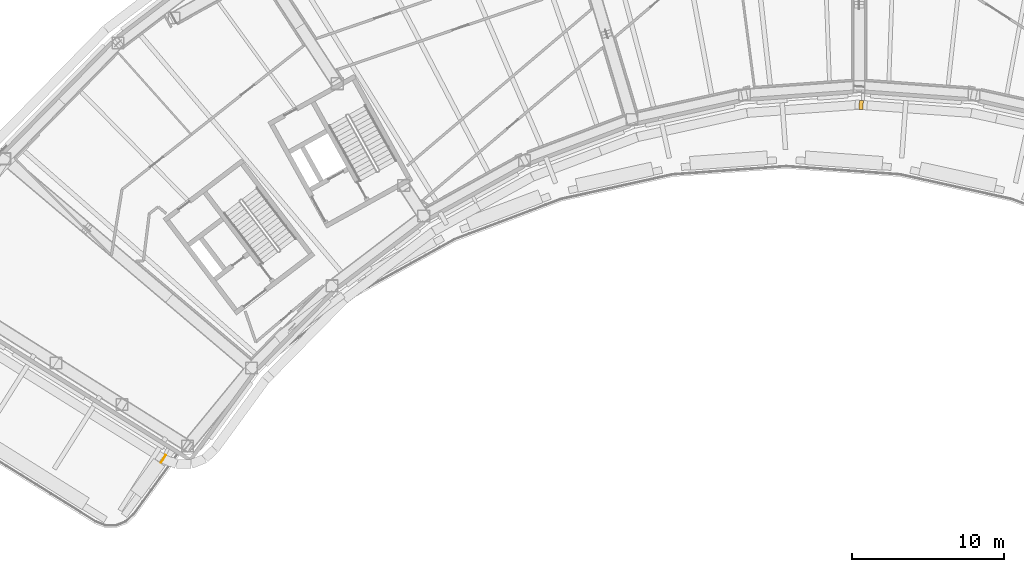
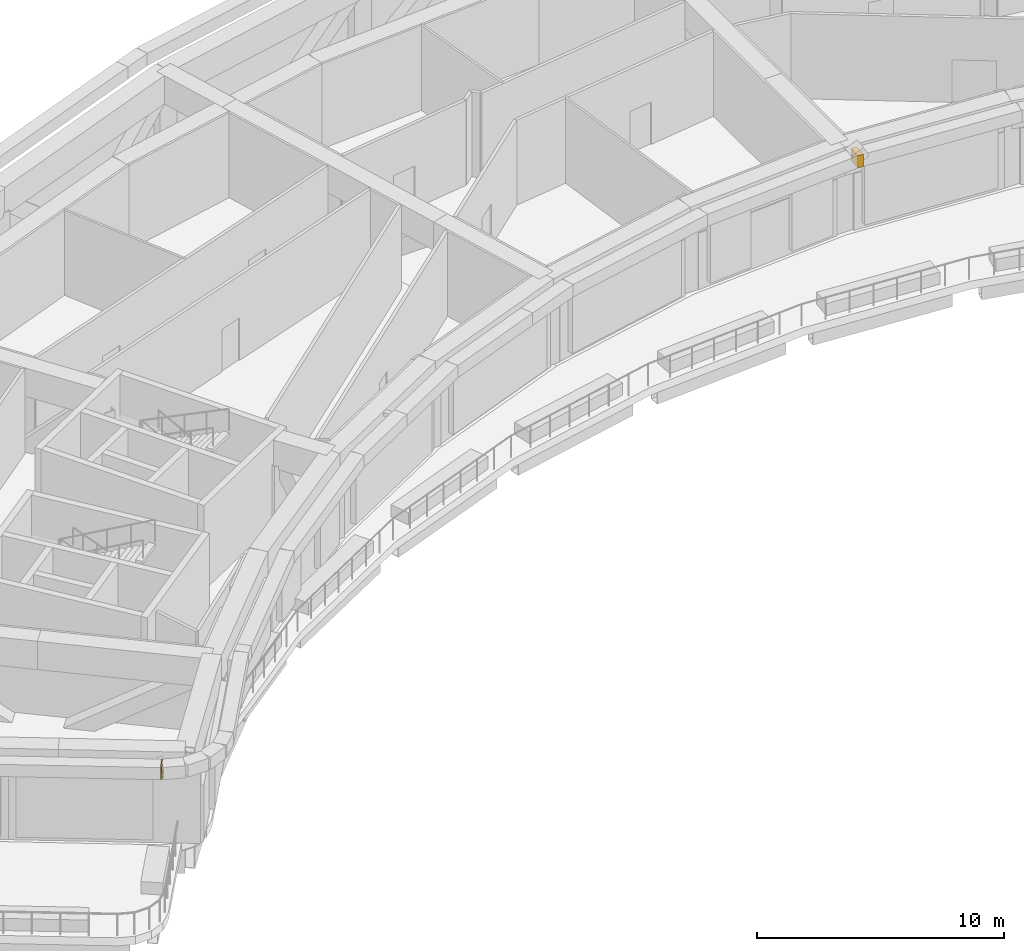
# One storey, part 24 of 25: 2 coverings.
"""IFC4 building model written with IfcOpenShell, lengths in metres."""

from ifc_helpers import new_model, si_unit, direction, frame, origin, origin_2d, place, context, subcontext, project, spatial, rectangle, extrude, material, material_profile, profile_set, type_object, element, save


model = new_model("IFC4")

# Units and contexts
model_context = context("Model", 3, precision=1e-05, world=origin(), true_north=direction((0.0, 1.0)))
body_context = subcontext(model_context, "Body", "Model", "MODEL_VIEW")
ifc_project = project(units=[si_unit("LENGTHUNIT", "METRE"), si_unit("AREAUNIT", "SQUARE_METRE"), si_unit("VOLUMEUNIT", "CUBIC_METRE"), si_unit("PLANEANGLEUNIT", "RADIAN"), si_unit("MASSUNIT", "GRAM", prefix="KILO")], contexts=[model_context])

# Site, building, storey
site_placement = place(None, origin())
site = spatial("IfcSite", under=ifc_project, at=site_placement, CompositionType="ELEMENT")
building_placement = place(site_placement, origin())
building = spatial("IfcBuilding", under=site, at=building_placement, Name="Tuul Gate Civic Tower", CompositionType="ELEMENT")
storey_placement = place(building_placement, frame((0.0, 0.0, 60.89990234375)))
storey = spatial("IfcBuildingStorey", under=building, at=storey_placement, Name="Plant and refuge floor 2", CompositionType="ELEMENT", Elevation=60.89990234375)

# Coverings
ifc_material = material(Name="Terracotta baguette", Category="masonry")
ifc_material_profile = material_profile(ifc_material, rectangle(XDim=0.60009765625, YDim=0.60009765625, at=origin_2d()), Name="Terracotta baguette screen frame")
ifc_profile_set = profile_set([ifc_material_profile], Name="Terracotta baguette")
covering_type = type_object("IfcCoveringType", Name="Terracotta baguette screen frame", PredefinedType="CLADDING", material=ifc_profile_set)
covering_1_placement = place(storey_placement, frame((-41.12109375, -27.198974609375, 4.150146484375), z_axis=(0.848510478701, -0.529178578114, 0.0), x_axis=(0.529178578114, 0.848510478701, 0.0)))
element("IfcCovering", 1, at=covering_1_placement, inside=storey, type_object=covering_type, Name="Baguette 157", PredefinedType="CLADDING", context=body_context, shape_type="SweptSolid", body=[
    extrude(rectangle(XDim=0.60009765625, YDim=0.60009765625, at=origin_2d()), origin(), (0.0, 0.0, 1.0), 0.053466796875),
])
covering_2_placement = place(storey_placement, frame((4.80810546875, -3.85205078125, 4.150146484375), z_axis=(0.997430282696, -0.071643779634, 0.0), x_axis=(0.071643779634, 0.997430282696, 0.0)))
element("IfcCovering", 2, at=covering_2_placement, inside=storey, type_object=covering_type, Name="Baguette 391", PredefinedType="CLADDING", context=body_context, shape_type="SweptSolid", body=[
    extrude(rectangle(XDim=0.60009765625, YDim=0.60009765625, at=origin_2d()), origin(), (0.0, 0.0, 1.0), 0.262451171875),
])

save(model, "model.ifc")
